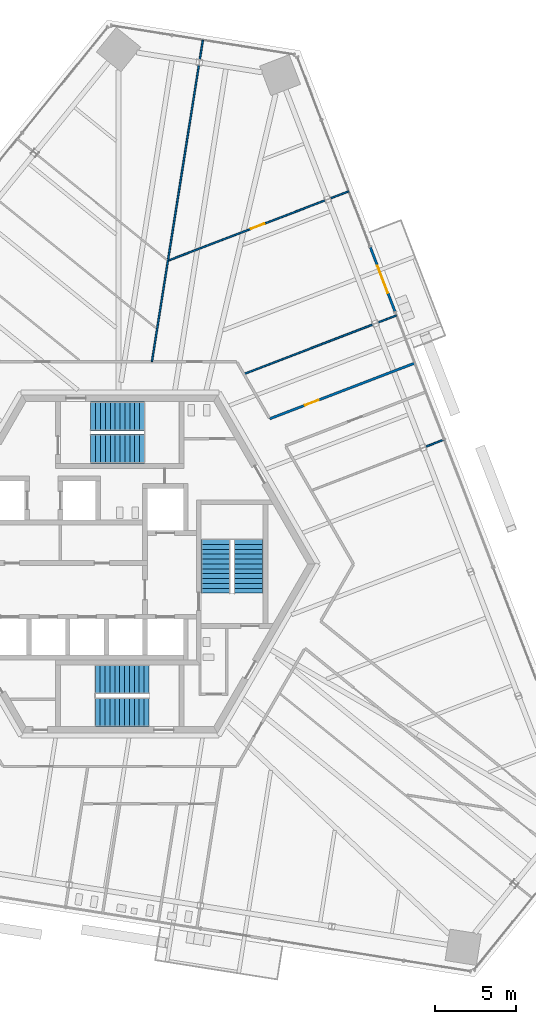
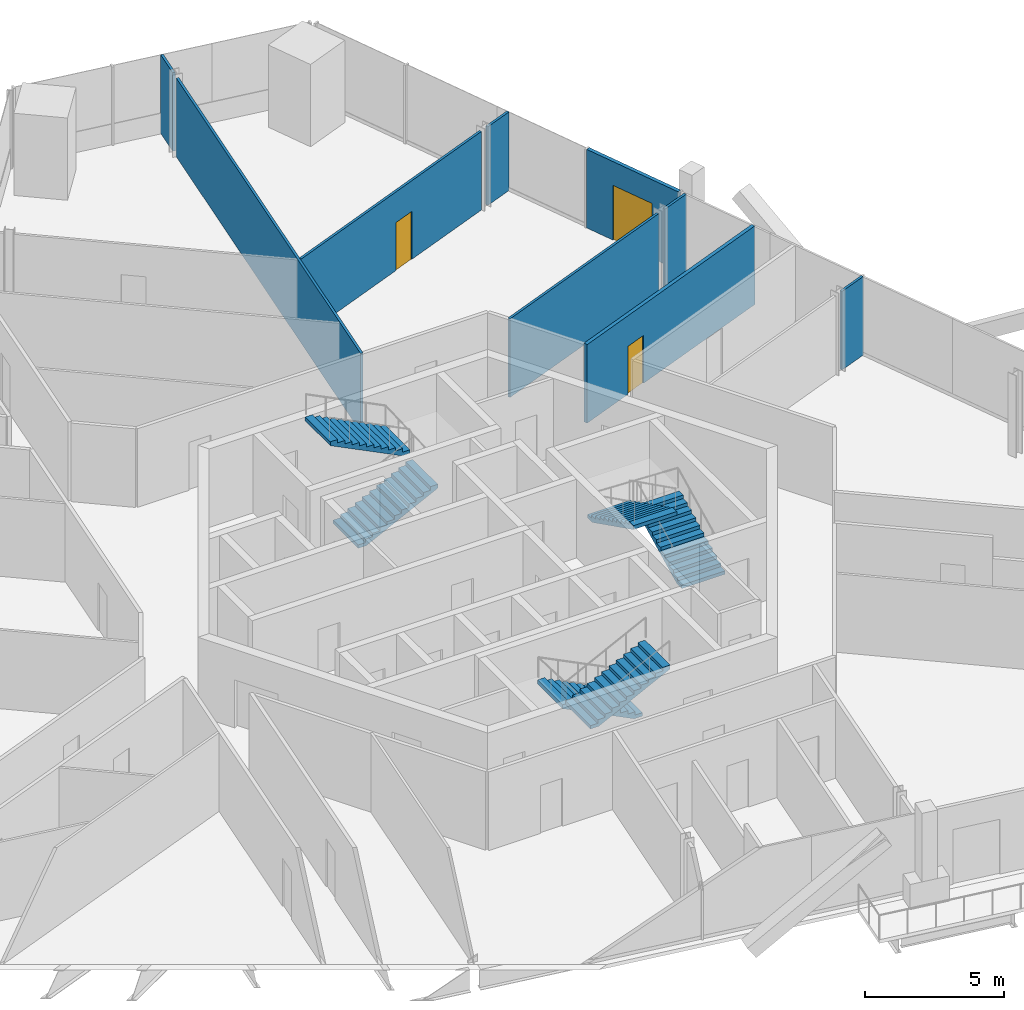
# One storey, part 14 of 18: 9 walls, 6 stair flights, 3 doors, 3 openings, 3 elements without a shape of their own.
"""IFC4 building model written with IfcOpenShell, lengths in metres."""

from ifc_helpers import new_model, si_unit, direction, frame, frame_2d, origin, place, context, subcontext, project, spatial, polyline, rectangle, outline, extrude, source, transform, mapped, material, layer, layer_set, type_object, element, fill, aggregate, save


model = new_model("IFC4")

# Units and contexts
model_context = context("Model", 3, precision=1e-05, world=origin(), true_north=direction((0.0, 1.0)))
body_context = subcontext(model_context, "Body", "Model", "MODEL_VIEW")
ifc_project = project(units=[si_unit("LENGTHUNIT", "METRE"), si_unit("AREAUNIT", "SQUARE_METRE"), si_unit("VOLUMEUNIT", "CUBIC_METRE"), si_unit("PLANEANGLEUNIT", "RADIAN"), si_unit("MASSUNIT", "GRAM", prefix="KILO")], contexts=[model_context])

# Site, building, storey
site_placement = place(None, origin())
site = spatial("IfcSite", under=ifc_project, at=site_placement, CompositionType="ELEMENT")
building_placement = place(site_placement, origin())
building = spatial("IfcBuilding", under=site, at=building_placement, Name="Triune Harvest Tower", CompositionType="ELEMENT")
storey_placement = place(building_placement, frame((0.0, 0.0, 156.89990234375)))
storey = spatial("IfcBuildingStorey", under=building, at=storey_placement, Name="L40", CompositionType="ELEMENT", Elevation=156.89990234375)

# Wall, opening, door
ifc_material_1 = material(Name="Gypsum board on steel studs", Category="steel")
ifc_layer_1 = layer(ifc_material_1, 0.14990234375)
ifc_layer_set_1 = layer_set([ifc_layer_1], Name="Gypsum board on steel studs")
wall_type_1 = type_object("IfcWallType", Name="Fire Partition 150 mm", PredefinedType="PARTITIONING", material=ifc_layer_set_1)
wall_1_placement = place(storey_placement, frame((9.210693359375, 8.931396484375, 0.0), z_axis=(0.0, 0.0, 1.0), x_axis=(0.933575998864, 0.358379483711, 0.0)))
wall_1 = element("IfcWall", 1, at=wall_1_placement, inside=storey, type_object=wall_type_1, Name="Partition L40 034", PredefinedType="PARTITIONING", context=body_context, shape_type="SweptSolid", body=[
    extrude(rectangle(XDim=9.551025390625, YDim=0.14990234375, at=frame_2d((4.775390625, 0.0))), origin(), (0.0, 0.0, 1.0), 3.440185546875),
])
opening_1_placement = place(wall_1_placement, frame((2.31787109375, 0.0, 0.0)))
opening_1 = element("IfcOpeningElement", 2, at=opening_1_placement, cuts=wall_1, Name="Opening L40-003", PredefinedType="OPENING", context=body_context, shape_type="SweptSolid", body=[
    extrude(rectangle(XDim=0.89990234375, YDim=2.10009765625, at=frame_2d((0.449951171875, 1.050048828125))), frame((0.0, 0.0849609375, 0.0), z_axis=(0.0, -1.0, 0.0), x_axis=(1.0, 0.0, 0.0)), (0.0, 0.0, 1.0), 0.169921875),
])
ifc_material_2 = material(Name="Timber and steel door set", Category="steel")
door_type_1 = type_object("IfcDoorType", Name="Single leaf door FD30 left hand 900 x 2100", OperationType="SINGLE_SWING_LEFT", PredefinedType="DOOR", material=ifc_material_2)
door_1_placement = place(opening_1_placement, origin())
door_1 = element("IfcDoor", 3, at=door_1_placement, inside=storey, type_object=door_type_1, Name="Door L40-003 Meeting Room 40.03", OperationType="SINGLE_SWING_LEFT", OverallHeight=2.10009765625, OverallWidth=0.89990234375, PredefinedType="DOOR", context=body_context, shape_type="SweptSolid", body=[
    extrude(rectangle(XDim=0.89990234375, YDim=2.10009765625, at=frame_2d((0.449951171875, 1.050048828125))), frame((0.0, 0.02490234375, 0.0), z_axis=(0.0, -1.0, 0.0), x_axis=(1.0, 0.0, 0.0)), (0.0, 0.0, 1.0), 0.050048828125),
])
fill(opening_1, door_1)

# Wall
ifc_material_3 = material(Name="Gypsum board on steel studs", Category="steel")
ifc_layer_2 = layer(ifc_material_3, 0.10009765625)
ifc_layer_set_2 = layer_set([ifc_layer_2], Name="Gypsum board on steel studs")
wall_type_2 = type_object("IfcWallType", Name="Partition 100 mm", PredefinedType="PARTITIONING", material=ifc_layer_set_2)
wall_2_placement = place(storey_placement, frame((1.970703125, 12.4423828125, 0.0), z_axis=(0.0, 0.0, 1.0), x_axis=(0.156441710176, 0.987687193051, 0.0)))
element("IfcWall", 4, at=wall_2_placement, inside=storey, type_object=wall_type_2, Name="Partition L40 048", PredefinedType="PARTITIONING", context=body_context, shape_type="SweptSolid", body=[
    extrude(rectangle(XDim=18.446044921875, YDim=0.10009765625, at=frame_2d((9.22314453125, 0.0))), origin(), (0.0, 0.0, 1.0), 3.440185546875),
])

# Wall, opening, door
ifc_material_4 = material(Name="Aluminium bronze anodised", Category="aluminium")
ifc_layer_3 = layer(ifc_material_4, 0.14990234375)
ifc_layer_set_3 = layer_set([ifc_layer_3], Name="Aluminium bronze anodised")
wall_type_3 = type_object("IfcWallType", Name="WW-2 balcony window wall", PredefinedType="ELEMENTEDWALL", material=ifc_layer_set_3)
wall_3_placement = place(storey_placement, frame((15.394287109375, 19.4736328125, 0.0), z_axis=(0.0, 0.0, 1.0), x_axis=(0.358370500864, -0.933579447134, 0.0)))
wall_3 = element("IfcWall", 5, at=wall_3_placement, inside=storey, type_object=wall_type_3, Name="WW-2 B4-F1 L40.9", PredefinedType="ELEMENTEDWALL", context=body_context, shape_type="SweptSolid", body=[
    extrude(rectangle(XDim=4.220947265625, YDim=0.14990234375, at=frame_2d((2.1103515625, 0.0))), origin(), (0.0, 0.0, 1.0), 3.440185546875),
])
opening_2_placement = place(wall_3_placement, frame((1.21044921875, 0.0, 0.0)))
opening_2 = element("IfcOpeningElement", 6, at=opening_2_placement, cuts=wall_3, Name="Opening L40-E01", PredefinedType="OPENING", context=body_context, shape_type="SweptSolid", body=[
    extrude(rectangle(XDim=1.800048828125, YDim=2.39990234375, at=frame_2d((0.89990234375, 1.199951171875))), frame((0.0, 0.0849609375, 0.0), z_axis=(0.0, -1.0, 0.0), x_axis=(1.0, 0.0, 0.0)), (0.0, 0.0, 1.0), 0.169921875),
])
ifc_material_5 = material(Name="Glass", Category="glass")
door_type_2 = type_object("IfcDoorType", Name="DB-1 balcony door 1800 x 2400", OperationType="DOUBLE_DOOR_SINGLE_SWING", PredefinedType="DOOR", material=ifc_material_5)
door_2_placement = place(opening_2_placement, origin())
door_2 = element("IfcDoor", 7, at=door_2_placement, inside=storey, type_object=door_type_2, Name="Door L40-E01", OperationType="DOUBLE_DOOR_SINGLE_SWING", OverallHeight=2.39990234375, OverallWidth=1.800048828125, PredefinedType="DOOR", context=body_context, shape_type="SweptSolid", body=[
    extrude(rectangle(XDim=1.800048828125, YDim=2.39990234375, at=frame_2d((0.89990234375, 1.199951171875))), frame((0.0, 0.02490234375, 0.0), z_axis=(0.0, -1.0, 0.0), x_axis=(1.0, 0.0, 0.0)), (0.0, 0.0, 1.0), 0.050048828125),
])
fill(opening_2, door_2)

# Walls
shared_shape_1 = source(origin(), body_context, "Body", "SweptSolid", [
    extrude(rectangle(XDim=1.21240234375, YDim=0.10009765625, at=frame_2d((0.606201171875, 0.0))), origin(), (0.0, 0.0, 1.0), 3.440185546875),
])
wall_4_placement = place(storey_placement, frame((18.80078125, 7.217041015625, 0.0), z_axis=(0.0, 0.0, 1.0), x_axis=(0.93362041979, 0.358263746075, 0.0)))
element("IfcWall", 8, at=wall_4_placement, inside=storey, type_object=wall_type_2, Name="Partition L40 030", PredefinedType="PARTITIONING", context=body_context, shape_type="MappedRepresentation", body=[
    mapped(shared_shape_1, transform((0.0, 0.0, 0.0), scale=1.0)),
])
shared_shape_2 = source(origin(), body_context, "Body", "SweptSolid", [
    extrude(rectangle(XDim=1.212158203125, YDim=0.10009765625, at=frame_2d((0.60595703125, 0.0))), origin(), (0.0, 0.0, 1.0), 3.440185546875),
])
for number, where, z_axis, x_axis, name in (
    (9, (15.871337890625, 14.84912109375, 0.0), (0.0, 0.0, 1.0), (0.933594564159, 0.358331117506, 0.0), "Partition L40 036"),
    (10, (12.941650390625, 22.481201171875, 0.0), (0.0, 0.0, 1.0), (0.933594564159, 0.358331117506, 0.0), "Partition L40 038"),
):
    element("IfcWall", number, at=place(storey_placement, frame(where, z_axis=z_axis, x_axis=x_axis)), inside=storey, type_object=wall_type_2, Name=name, PredefinedType="PARTITIONING", context=body_context, shape_type="MappedRepresentation", body=[
        mapped(shared_shape_2, transform((0.0, 0.0, 0.0), scale=1.0)),
    ])
shared_shape_3 = source(origin(), body_context, "Body", "SweptSolid", [
    extrude(rectangle(XDim=8.482666015625, YDim=0.10009765625, at=frame_2d((4.2412109375, 0.0))), origin(), (0.0, 0.0, 1.0), 3.440185546875),
])
wall_5_placement = place(storey_placement, frame((7.622314453125, 11.6826171875, 0.0), z_axis=(0.0, 0.0, 1.0), x_axis=(0.933584256051, 0.358357973058, 0.0)))
element("IfcWall", 11, at=wall_5_placement, inside=storey, type_object=wall_type_2, Name="Partition L40 035", PredefinedType="PARTITIONING", context=body_context, shape_type="MappedRepresentation", body=[
    mapped(shared_shape_3, transform((0.0, 0.0, 0.0), scale=1.0)),
])
shared_shape_4 = source(origin(), body_context, "Body", "SweptSolid", [
    extrude(rectangle(XDim=1.2119140625, YDim=0.10009765625, at=frame_2d((0.60595703125, 0.0))), origin(), (0.0, 0.0, 1.0), 3.440185546875),
])
wall_6_placement = place(storey_placement, frame((4.91162109375, 31.010498046875, 0.0), z_axis=(0.0, 0.0, 1.0), x_axis=(0.15652114429, 0.987674608052, 0.0)))
element("IfcWall", 12, at=wall_6_placement, inside=storey, type_object=wall_type_2, Name="Partition L40 049", PredefinedType="PARTITIONING", context=body_context, shape_type="MappedRepresentation", body=[
    mapped(shared_shape_4, transform((0.0, 0.0, 0.0), scale=1.0)),
])

# Wall, opening, door
shared_shape_5 = source(origin(), body_context, "Body", "SweptSolid", [
    extrude(rectangle(XDim=10.285400390625, YDim=0.10009765625, at=frame_2d((5.142578125, 0.0))), origin(), (0.0, 0.0, 1.0), 3.440185546875),
])
wall_7_placement = place(storey_placement, frame((3.009521484375, 18.66845703125, 0.0), z_axis=(0.0, 0.0, 1.0), x_axis=(0.933578491658, 0.358372989933, 0.0)))
wall_7 = element("IfcWall", 13, at=wall_7_placement, inside=storey, type_object=wall_type_2, Name="Partition L40 037", PredefinedType="PARTITIONING", context=body_context, shape_type="MappedRepresentation", body=[
    mapped(shared_shape_5, transform((0.0, 0.0, 0.0), scale=1.0)),
])
opening_3_placement = place(wall_7_placement, frame((5.40087890625, 0.0, 0.0)))
opening_3 = element("IfcOpeningElement", 14, at=opening_3_placement, cuts=wall_7, Name="Opening L40-006", PredefinedType="OPENING", context=body_context, shape_type="SweptSolid", body=[
    extrude(rectangle(XDim=0.89990234375, YDim=2.10009765625, at=frame_2d((0.449951171875, 1.050048828125))), frame((0.0, 0.06005859375, 0.0), z_axis=(0.0, -1.0, 0.0), x_axis=(1.0, 0.0, 0.0)), (0.0, 0.0, 1.0), 0.1201171875),
])
ifc_material_6 = material(Name="Timber and steel door set", Category="steel")
door_type_3 = type_object("IfcDoorType", Name="Single leaf door right hand 900 x 2100", OperationType="SINGLE_SWING_RIGHT", PredefinedType="DOOR", material=ifc_material_6)
door_3_placement = place(opening_3_placement, origin())
door_3 = element("IfcDoor", 15, at=door_3_placement, inside=storey, type_object=door_type_3, Name="Door L40-006 Pantry 40.06", OperationType="SINGLE_SWING_RIGHT", OverallHeight=2.10009765625, OverallWidth=0.89990234375, PredefinedType="DOOR", context=body_context, shape_type="SweptSolid", body=[
    extrude(rectangle(XDim=0.89990234375, YDim=2.10009765625, at=frame_2d((0.449951171875, 1.050048828125))), frame((0.0, 0.02490234375, 0.0), z_axis=(0.0, -1.0, 0.0), x_axis=(1.0, 0.0, 0.0)), (0.0, 0.0, 1.0), 0.050048828125),
])
fill(opening_3, door_3)

# Stair, stair flights
ifc_material_7 = material(Name="Concrete 40 MPa", Category="concrete")
stair_type = type_object("IfcStairType", Name="Exit stair 1800 half turn", PredefinedType="HALF_TURN_STAIR", material=ifc_material_7)
stair_1_placement = place(storey_placement, origin())
stair_1 = element("IfcStair", 16, at=stair_1_placement, inside=storey, type_object=stair_type, Name="Exit stair north", PredefinedType="HALF_TURN_STAIR")
ifc_material_8 = material(Name="Concrete 40 MPa", Category="concrete")
stair_flight_type = type_object("IfcStairFlightType", Name="Stair flight 1800", PredefinedType="STRAIGHT", material=ifc_material_8)
shared_shape_6 = source(origin(), body_context, "Body", "SweptSolid", [
    extrude(outline(polyline([(0.0, 0.0), (0.0, 0.14990234375), (0.300048828125, 0.14990234375), (0.300048828125, 0.300048828125), (0.60009765625, 0.300048828125), (0.60009765625, 0.449951171875), (0.89990234375, 0.449951171875), (0.89990234375, 0.60009765625), (1.199951171875, 0.60009765625), (1.199951171875, 0.75), (1.5, 0.75), (1.5, 0.89990234375), (1.800048828125, 0.89990234375), (1.800048828125, 1.050048828125), (2.10009765625, 1.050048828125), (2.10009765625, 1.199951171875), (2.39990234375, 1.199951171875), (2.39990234375, 1.35009765625), (2.699951171875, 1.35009765625), (2.699951171875, 1.5), (3.0, 1.5), (3.0, 1.64990234375), (3.300048828125, 1.64990234375), (3.300048828125, 1.800048828125), (3.300048828125, 1.482421875), (0.335205078125, 0.0), (0.0, 0.0)])), frame((0.0, 0.89990234375, 0.0), z_axis=(0.0, -1.0, 0.0), x_axis=(1.0, 0.0, 0.0)), (0.0, 0.0, 1.0), 1.800048828125),
])
stair_flight_1_placement = place(storey_placement, frame((-1.7900390625, 7.090087890625, 0.0), z_axis=(0.0, 0.0, 1.0), x_axis=(1.0, 0.0, 0.0)))
stair_flight_1 = element("IfcStairFlight", 17, at=stair_flight_1_placement, type_object=stair_flight_type, Name="ST-1 flight 1", NumberOfRisers=12, NumberOfTreads=11, PredefinedType="STRAIGHT", RiserHeight=0.15, TreadLength=0.3, context=body_context, shape_type="MappedRepresentation", body=[
    mapped(shared_shape_6, transform((0.0, 0.0, 0.0), scale=1.0)),
])
stair_flight_2_placement = place(storey_placement, frame((1.510009765625, 9.090087890625, 1.800048828125), z_axis=(0.0, 0.0, 1.0), x_axis=(-1.0, 0.0, 0.0)))
stair_flight_2 = element("IfcStairFlight", 18, at=stair_flight_2_placement, type_object=stair_flight_type, Name="ST-1 flight 2", NumberOfRisers=12, NumberOfTreads=11, PredefinedType="STRAIGHT", RiserHeight=0.15, TreadLength=0.3, context=body_context, shape_type="MappedRepresentation", body=[
    mapped(shared_shape_6, transform((0.0, 0.0, 0.0), scale=1.0)),
])
aggregate(stair_1, [stair_flight_1, stair_flight_2])

stair_2_placement = place(storey_placement, origin())
stair_2 = element("IfcStair", 19, at=stair_2_placement, inside=storey, type_object=stair_type, Name="Exit stair south", PredefinedType="HALF_TURN_STAIR")
stair_flight_3_placement = place(storey_placement, frame((1.7900390625, -7.090087890625, 0.0), z_axis=(0.0, 0.0, 1.0), x_axis=(-1.0, 0.0, 0.0)))
stair_flight_3 = element("IfcStairFlight", 20, at=stair_flight_3_placement, type_object=stair_flight_type, Name="ST-2 flight 1", NumberOfRisers=12, NumberOfTreads=11, PredefinedType="STRAIGHT", RiserHeight=0.15, TreadLength=0.3, context=body_context, shape_type="MappedRepresentation", body=[
    mapped(shared_shape_6, transform((0.0, 0.0, 0.0), scale=1.0)),
])
stair_flight_4_placement = place(storey_placement, frame((-1.510009765625, -9.090087890625, 1.800048828125), z_axis=(0.0, 0.0, 1.0), x_axis=(1.0, 0.0, 0.0)))
stair_flight_4 = element("IfcStairFlight", 21, at=stair_flight_4_placement, type_object=stair_flight_type, Name="ST-2 flight 2", NumberOfRisers=12, NumberOfTreads=11, PredefinedType="STRAIGHT", RiserHeight=0.15, TreadLength=0.3, context=body_context, shape_type="MappedRepresentation", body=[
    mapped(shared_shape_6, transform((0.0, 0.0, 0.0), scale=1.0)),
])
aggregate(stair_2, [stair_flight_3, stair_flight_4])

stair_3_placement = place(storey_placement, origin())
stair_3 = element("IfcStair", 22, at=stair_3_placement, inside=storey, type_object=stair_type, Name="Exit stair east", PredefinedType="HALF_TURN_STAIR")
stair_flight_5_placement = place(storey_placement, frame((7.89990234375, -1.7900390625, 0.0), z_axis=(0.0, 0.0, 1.0), x_axis=(0.0, 1.0, 0.0)))
stair_flight_5 = element("IfcStairFlight", 23, at=stair_flight_5_placement, type_object=stair_flight_type, Name="ST-3 flight 1", NumberOfRisers=12, NumberOfTreads=11, PredefinedType="STRAIGHT", RiserHeight=0.15, TreadLength=0.3, context=body_context, shape_type="MappedRepresentation", body=[
    mapped(shared_shape_6, transform((0.0, 0.0, 0.0), scale=1.0)),
])
stair_flight_6_placement = place(storey_placement, frame((5.89990234375, 1.510009765625, 1.800048828125), z_axis=(0.0, 0.0, 1.0), x_axis=(0.0, -1.0, 0.0)))
stair_flight_6 = element("IfcStairFlight", 24, at=stair_flight_6_placement, type_object=stair_flight_type, Name="ST-3 flight 2", NumberOfRisers=12, NumberOfTreads=11, PredefinedType="STRAIGHT", RiserHeight=0.15, TreadLength=0.3, context=body_context, shape_type="MappedRepresentation", body=[
    mapped(shared_shape_6, transform((0.0, 0.0, 0.0), scale=1.0)),
])
aggregate(stair_3, [stair_flight_5, stair_flight_6])

save(model, "model.ifc")
